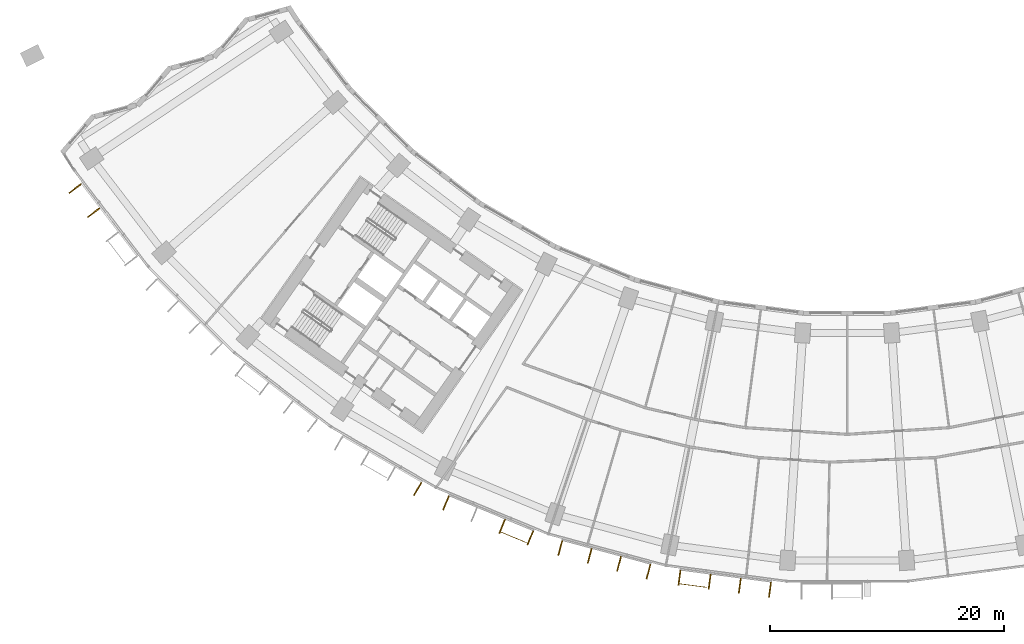
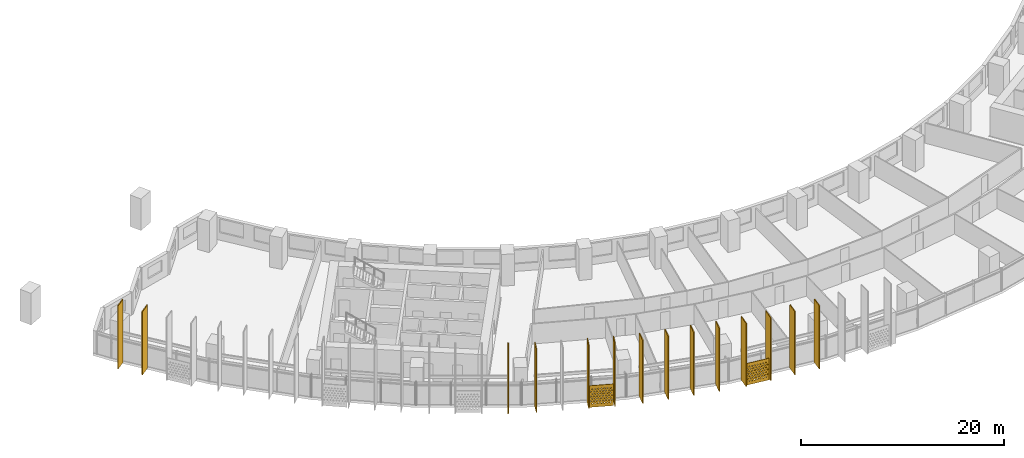
# One storey, part 26 of 31: 16 shading devices.
"""IFC4 building model written with IfcOpenShell, lengths in metres."""

from ifc_helpers import new_model, si_unit, direction, frame, origin, origin_2d, place, context, subcontext, project, spatial, polyline, rectangle, outline, extrude, material, material_profile, profile_set, type_object, element, save


model = new_model("IFC4")

# Units and contexts
model_context = context("Model", 3, precision=1e-05, world=origin(), true_north=direction((0.0, 1.0)))
body_context = subcontext(model_context, "Body", "Model", "MODEL_VIEW")
ifc_project = project(units=[si_unit("LENGTHUNIT", "METRE"), si_unit("AREAUNIT", "SQUARE_METRE"), si_unit("VOLUMEUNIT", "CUBIC_METRE"), si_unit("PLANEANGLEUNIT", "RADIAN"), si_unit("MASSUNIT", "GRAM", prefix="KILO")], contexts=[model_context])

# Site, building, storey
site_placement = place(None, origin())
site = spatial("IfcSite", under=ifc_project, at=site_placement, CompositionType="ELEMENT")
building_placement = place(site_placement, origin())
building = spatial("IfcBuilding", under=site, at=building_placement, Name="Qamariyya Broadcast Tower", CompositionType="ELEMENT")
storey_placement = place(building_placement, frame((0.0, 0.0, 48.10009765625)))
storey = spatial("IfcBuildingStorey", under=building, at=storey_placement, Name="L08", CompositionType="ELEMENT", Elevation=48.10009765625)

# Shading devices
ifc_material_1 = material(Name="Perforated glazed terracotta", Category="masonry")
ifc_material_profile_1 = material_profile(ifc_material_1, outline(polyline([(-1.199951171875, -1.300048828125), (1.199951171875, -1.300048828125), (1.199951171875, 1.300048828125), (-1.199951171875, 1.300048828125), (-1.199951171875, -1.300048828125)]), holes=[polyline([(-0.81494140625, -0.86669921875), (-0.89990234375, -0.78173828125), (-0.985107421875, -0.86669921875), (-0.89990234375, -0.95166015625), (-0.81494140625, -0.86669921875)]), polyline([(-0.514892578125, -0.86669921875), (-0.60009765625, -0.78173828125), (-0.68505859375, -0.86669921875), (-0.60009765625, -0.95166015625), (-0.514892578125, -0.86669921875)]), polyline([(-0.215087890625, -0.86669921875), (-0.300048828125, -0.78173828125), (-0.385009765625, -0.86669921875), (-0.300048828125, -0.95166015625), (-0.215087890625, -0.86669921875)]), polyline([(0.0849609375, -0.86669921875), (0.0, -0.78173828125), (-0.0849609375, -0.86669921875), (0.0, -0.95166015625), (0.0849609375, -0.86669921875)]), polyline([(0.385009765625, -0.86669921875), (0.300048828125, -0.78173828125), (0.215087890625, -0.86669921875), (0.300048828125, -0.95166015625), (0.385009765625, -0.86669921875)]), polyline([(0.68505859375, -0.86669921875), (0.60009765625, -0.78173828125), (0.514892578125, -0.86669921875), (0.60009765625, -0.95166015625), (0.68505859375, -0.86669921875)]), polyline([(0.985107421875, -0.86669921875), (0.89990234375, -0.78173828125), (0.81494140625, -0.86669921875), (0.89990234375, -0.95166015625), (0.985107421875, -0.86669921875)]), polyline([(-0.965087890625, -0.577880859375), (-1.050048828125, -0.49267578125), (-1.135009765625, -0.577880859375), (-1.050048828125, -0.662841796875), (-0.965087890625, -0.577880859375)]), polyline([(-0.6650390625, -0.577880859375), (-0.75, -0.49267578125), (-0.8349609375, -0.577880859375), (-0.75, -0.662841796875), (-0.6650390625, -0.577880859375)]), polyline([(-0.364990234375, -0.577880859375), (-0.449951171875, -0.49267578125), (-0.534912109375, -0.577880859375), (-0.449951171875, -0.662841796875), (-0.364990234375, -0.577880859375)]), polyline([(-0.06494140625, -0.577880859375), (-0.14990234375, -0.49267578125), (-0.235107421875, -0.577880859375), (-0.14990234375, -0.662841796875), (-0.06494140625, -0.577880859375)]), polyline([(0.235107421875, -0.577880859375), (0.14990234375, -0.49267578125), (0.06494140625, -0.577880859375), (0.14990234375, -0.662841796875), (0.235107421875, -0.577880859375)]), polyline([(0.534912109375, -0.577880859375), (0.449951171875, -0.49267578125), (0.364990234375, -0.577880859375), (0.449951171875, -0.662841796875), (0.534912109375, -0.577880859375)]), polyline([(0.8349609375, -0.577880859375), (0.75, -0.49267578125), (0.6650390625, -0.577880859375), (0.75, -0.662841796875), (0.8349609375, -0.577880859375)]), polyline([(1.135009765625, -0.577880859375), (1.050048828125, -0.49267578125), (0.965087890625, -0.577880859375), (1.050048828125, -0.662841796875), (1.135009765625, -0.577880859375)]), polyline([(-0.81494140625, -0.288818359375), (-0.89990234375, -0.203857421875), (-0.985107421875, -0.288818359375), (-0.89990234375, -0.373779296875), (-0.81494140625, -0.288818359375)]), polyline([(-0.514892578125, -0.288818359375), (-0.60009765625, -0.203857421875), (-0.68505859375, -0.288818359375), (-0.60009765625, -0.373779296875), (-0.514892578125, -0.288818359375)]), polyline([(-0.215087890625, -0.288818359375), (-0.300048828125, -0.203857421875), (-0.385009765625, -0.288818359375), (-0.300048828125, -0.373779296875), (-0.215087890625, -0.288818359375)]), polyline([(0.0849609375, -0.288818359375), (0.0, -0.203857421875), (-0.0849609375, -0.288818359375), (0.0, -0.373779296875), (0.0849609375, -0.288818359375)]), polyline([(0.385009765625, -0.288818359375), (0.300048828125, -0.203857421875), (0.215087890625, -0.288818359375), (0.300048828125, -0.373779296875), (0.385009765625, -0.288818359375)]), polyline([(0.68505859375, -0.288818359375), (0.60009765625, -0.203857421875), (0.514892578125, -0.288818359375), (0.60009765625, -0.373779296875), (0.68505859375, -0.288818359375)]), polyline([(0.985107421875, -0.288818359375), (0.89990234375, -0.203857421875), (0.81494140625, -0.288818359375), (0.89990234375, -0.373779296875), (0.985107421875, -0.288818359375)]), polyline([(-0.965087890625, 0.0), (-1.050048828125, 0.0849609375), (-1.135009765625, 0.0), (-1.050048828125, -0.0849609375), (-0.965087890625, 0.0)]), polyline([(-0.6650390625, 0.0), (-0.75, 0.0849609375), (-0.8349609375, 0.0), (-0.75, -0.0849609375), (-0.6650390625, 0.0)]), polyline([(-0.364990234375, 0.0), (-0.449951171875, 0.0849609375), (-0.534912109375, 0.0), (-0.449951171875, -0.0849609375), (-0.364990234375, 0.0)]), polyline([(-0.06494140625, 0.0), (-0.14990234375, 0.0849609375), (-0.235107421875, 0.0), (-0.14990234375, -0.0849609375), (-0.06494140625, 0.0)]), polyline([(0.235107421875, 0.0), (0.14990234375, 0.0849609375), (0.06494140625, 0.0), (0.14990234375, -0.0849609375), (0.235107421875, 0.0)]), polyline([(0.534912109375, 0.0), (0.449951171875, 0.0849609375), (0.364990234375, 0.0), (0.449951171875, -0.0849609375), (0.534912109375, 0.0)]), polyline([(0.8349609375, 0.0), (0.75, 0.0849609375), (0.6650390625, 0.0), (0.75, -0.0849609375), (0.8349609375, 0.0)]), polyline([(1.135009765625, 0.0), (1.050048828125, 0.0849609375), (0.965087890625, 0.0), (1.050048828125, -0.0849609375), (1.135009765625, 0.0)]), polyline([(-0.81494140625, 0.288818359375), (-0.89990234375, 0.373779296875), (-0.985107421875, 0.288818359375), (-0.89990234375, 0.203857421875), (-0.81494140625, 0.288818359375)]), polyline([(-0.514892578125, 0.288818359375), (-0.60009765625, 0.373779296875), (-0.68505859375, 0.288818359375), (-0.60009765625, 0.203857421875), (-0.514892578125, 0.288818359375)]), polyline([(-0.215087890625, 0.288818359375), (-0.300048828125, 0.373779296875), (-0.385009765625, 0.288818359375), (-0.300048828125, 0.203857421875), (-0.215087890625, 0.288818359375)]), polyline([(0.0849609375, 0.288818359375), (0.0, 0.373779296875), (-0.0849609375, 0.288818359375), (0.0, 0.203857421875), (0.0849609375, 0.288818359375)]), polyline([(0.385009765625, 0.288818359375), (0.300048828125, 0.373779296875), (0.215087890625, 0.288818359375), (0.300048828125, 0.203857421875), (0.385009765625, 0.288818359375)]), polyline([(0.68505859375, 0.288818359375), (0.60009765625, 0.373779296875), (0.514892578125, 0.288818359375), (0.60009765625, 0.203857421875), (0.68505859375, 0.288818359375)]), polyline([(0.985107421875, 0.288818359375), (0.89990234375, 0.373779296875), (0.81494140625, 0.288818359375), (0.89990234375, 0.203857421875), (0.985107421875, 0.288818359375)]), polyline([(-0.965087890625, 0.577880859375), (-1.050048828125, 0.662841796875), (-1.135009765625, 0.577880859375), (-1.050048828125, 0.49267578125), (-0.965087890625, 0.577880859375)]), polyline([(-0.6650390625, 0.577880859375), (-0.75, 0.662841796875), (-0.8349609375, 0.577880859375), (-0.75, 0.49267578125), (-0.6650390625, 0.577880859375)]), polyline([(-0.364990234375, 0.577880859375), (-0.449951171875, 0.662841796875), (-0.534912109375, 0.577880859375), (-0.449951171875, 0.49267578125), (-0.364990234375, 0.577880859375)]), polyline([(-0.06494140625, 0.577880859375), (-0.14990234375, 0.662841796875), (-0.235107421875, 0.577880859375), (-0.14990234375, 0.49267578125), (-0.06494140625, 0.577880859375)]), polyline([(0.235107421875, 0.577880859375), (0.14990234375, 0.662841796875), (0.06494140625, 0.577880859375), (0.14990234375, 0.49267578125), (0.235107421875, 0.577880859375)]), polyline([(0.534912109375, 0.577880859375), (0.449951171875, 0.662841796875), (0.364990234375, 0.577880859375), (0.449951171875, 0.49267578125), (0.534912109375, 0.577880859375)]), polyline([(0.8349609375, 0.577880859375), (0.75, 0.662841796875), (0.6650390625, 0.577880859375), (0.75, 0.49267578125), (0.8349609375, 0.577880859375)]), polyline([(1.135009765625, 0.577880859375), (1.050048828125, 0.662841796875), (0.965087890625, 0.577880859375), (1.050048828125, 0.49267578125), (1.135009765625, 0.577880859375)]), polyline([(-0.81494140625, 0.86669921875), (-0.89990234375, 0.95166015625), (-0.985107421875, 0.86669921875), (-0.89990234375, 0.78173828125), (-0.81494140625, 0.86669921875)]), polyline([(-0.514892578125, 0.86669921875), (-0.60009765625, 0.95166015625), (-0.68505859375, 0.86669921875), (-0.60009765625, 0.78173828125), (-0.514892578125, 0.86669921875)]), polyline([(-0.215087890625, 0.86669921875), (-0.300048828125, 0.95166015625), (-0.385009765625, 0.86669921875), (-0.300048828125, 0.78173828125), (-0.215087890625, 0.86669921875)]), polyline([(0.0849609375, 0.86669921875), (0.0, 0.95166015625), (-0.0849609375, 0.86669921875), (0.0, 0.78173828125), (0.0849609375, 0.86669921875)]), polyline([(0.385009765625, 0.86669921875), (0.300048828125, 0.95166015625), (0.215087890625, 0.86669921875), (0.300048828125, 0.78173828125), (0.385009765625, 0.86669921875)]), polyline([(0.68505859375, 0.86669921875), (0.60009765625, 0.95166015625), (0.514892578125, 0.86669921875), (0.60009765625, 0.78173828125), (0.68505859375, 0.86669921875)]), polyline([(0.985107421875, 0.86669921875), (0.89990234375, 0.95166015625), (0.81494140625, 0.86669921875), (0.89990234375, 0.78173828125), (0.985107421875, 0.86669921875)])]))
ifc_profile_set_1 = profile_set([ifc_material_profile_1], Name="Perforated glazed terracotta")
shading_device_type_1 = type_object("IfcShadingDeviceType", Name="Perforated terracotta screen 2400 x 2600", PredefinedType="USERDEFINED", material=ifc_profile_set_1)
shading_device_1_placement = place(storey_placement, frame((-28.54345703125, -75.57958984375, 1.349853515625), z_axis=(-0.382591441855, -0.923917630863, 0.0), x_axis=(0.923917630863, -0.382591441855, 0.0)))
element("IfcShadingDevice", 1, at=shading_device_1_placement, inside=storey, type_object=shading_device_type_1, Name="e-scr-L08-05-2", ObjectType="SCREEN", PredefinedType="USERDEFINED", context=body_context, shape_type="SweptSolid", body=[
    extrude(outline(polyline([(-1.199951171875, -1.300048828125), (1.199951171875, -1.300048828125), (1.199951171875, 1.300048828125), (-1.199951171875, 1.300048828125), (-1.199951171875, -1.300048828125)]), holes=[polyline([(-0.81494140625, -0.86669921875), (-0.89990234375, -0.78173828125), (-0.985107421875, -0.86669921875), (-0.89990234375, -0.95166015625), (-0.81494140625, -0.86669921875)]), polyline([(-0.514892578125, -0.86669921875), (-0.60009765625, -0.78173828125), (-0.68505859375, -0.86669921875), (-0.60009765625, -0.95166015625), (-0.514892578125, -0.86669921875)]), polyline([(-0.215087890625, -0.86669921875), (-0.300048828125, -0.78173828125), (-0.385009765625, -0.86669921875), (-0.300048828125, -0.95166015625), (-0.215087890625, -0.86669921875)]), polyline([(0.0849609375, -0.86669921875), (0.0, -0.78173828125), (-0.0849609375, -0.86669921875), (0.0, -0.95166015625), (0.0849609375, -0.86669921875)]), polyline([(0.385009765625, -0.86669921875), (0.300048828125, -0.78173828125), (0.215087890625, -0.86669921875), (0.300048828125, -0.95166015625), (0.385009765625, -0.86669921875)]), polyline([(0.68505859375, -0.86669921875), (0.60009765625, -0.78173828125), (0.514892578125, -0.86669921875), (0.60009765625, -0.95166015625), (0.68505859375, -0.86669921875)]), polyline([(0.985107421875, -0.86669921875), (0.89990234375, -0.78173828125), (0.81494140625, -0.86669921875), (0.89990234375, -0.95166015625), (0.985107421875, -0.86669921875)]), polyline([(-0.965087890625, -0.577880859375), (-1.050048828125, -0.49267578125), (-1.135009765625, -0.577880859375), (-1.050048828125, -0.662841796875), (-0.965087890625, -0.577880859375)]), polyline([(-0.6650390625, -0.577880859375), (-0.75, -0.49267578125), (-0.8349609375, -0.577880859375), (-0.75, -0.662841796875), (-0.6650390625, -0.577880859375)]), polyline([(-0.364990234375, -0.577880859375), (-0.449951171875, -0.49267578125), (-0.534912109375, -0.577880859375), (-0.449951171875, -0.662841796875), (-0.364990234375, -0.577880859375)]), polyline([(-0.06494140625, -0.577880859375), (-0.14990234375, -0.49267578125), (-0.235107421875, -0.577880859375), (-0.14990234375, -0.662841796875), (-0.06494140625, -0.577880859375)]), polyline([(0.235107421875, -0.577880859375), (0.14990234375, -0.49267578125), (0.06494140625, -0.577880859375), (0.14990234375, -0.662841796875), (0.235107421875, -0.577880859375)]), polyline([(0.534912109375, -0.577880859375), (0.449951171875, -0.49267578125), (0.364990234375, -0.577880859375), (0.449951171875, -0.662841796875), (0.534912109375, -0.577880859375)]), polyline([(0.8349609375, -0.577880859375), (0.75, -0.49267578125), (0.6650390625, -0.577880859375), (0.75, -0.662841796875), (0.8349609375, -0.577880859375)]), polyline([(1.135009765625, -0.577880859375), (1.050048828125, -0.49267578125), (0.965087890625, -0.577880859375), (1.050048828125, -0.662841796875), (1.135009765625, -0.577880859375)]), polyline([(-0.81494140625, -0.288818359375), (-0.89990234375, -0.203857421875), (-0.985107421875, -0.288818359375), (-0.89990234375, -0.373779296875), (-0.81494140625, -0.288818359375)]), polyline([(-0.514892578125, -0.288818359375), (-0.60009765625, -0.203857421875), (-0.68505859375, -0.288818359375), (-0.60009765625, -0.373779296875), (-0.514892578125, -0.288818359375)]), polyline([(-0.215087890625, -0.288818359375), (-0.300048828125, -0.203857421875), (-0.385009765625, -0.288818359375), (-0.300048828125, -0.373779296875), (-0.215087890625, -0.288818359375)]), polyline([(0.0849609375, -0.288818359375), (0.0, -0.203857421875), (-0.0849609375, -0.288818359375), (0.0, -0.373779296875), (0.0849609375, -0.288818359375)]), polyline([(0.385009765625, -0.288818359375), (0.300048828125, -0.203857421875), (0.215087890625, -0.288818359375), (0.300048828125, -0.373779296875), (0.385009765625, -0.288818359375)]), polyline([(0.68505859375, -0.288818359375), (0.60009765625, -0.203857421875), (0.514892578125, -0.288818359375), (0.60009765625, -0.373779296875), (0.68505859375, -0.288818359375)]), polyline([(0.985107421875, -0.288818359375), (0.89990234375, -0.203857421875), (0.81494140625, -0.288818359375), (0.89990234375, -0.373779296875), (0.985107421875, -0.288818359375)]), polyline([(-0.965087890625, 0.0), (-1.050048828125, 0.0849609375), (-1.135009765625, 0.0), (-1.050048828125, -0.0849609375), (-0.965087890625, 0.0)]), polyline([(-0.6650390625, 0.0), (-0.75, 0.0849609375), (-0.8349609375, 0.0), (-0.75, -0.0849609375), (-0.6650390625, 0.0)]), polyline([(-0.364990234375, 0.0), (-0.449951171875, 0.0849609375), (-0.534912109375, 0.0), (-0.449951171875, -0.0849609375), (-0.364990234375, 0.0)]), polyline([(-0.06494140625, 0.0), (-0.14990234375, 0.0849609375), (-0.235107421875, 0.0), (-0.14990234375, -0.0849609375), (-0.06494140625, 0.0)]), polyline([(0.235107421875, 0.0), (0.14990234375, 0.0849609375), (0.06494140625, 0.0), (0.14990234375, -0.0849609375), (0.235107421875, 0.0)]), polyline([(0.534912109375, 0.0), (0.449951171875, 0.0849609375), (0.364990234375, 0.0), (0.449951171875, -0.0849609375), (0.534912109375, 0.0)]), polyline([(0.8349609375, 0.0), (0.75, 0.0849609375), (0.6650390625, 0.0), (0.75, -0.0849609375), (0.8349609375, 0.0)]), polyline([(1.135009765625, 0.0), (1.050048828125, 0.0849609375), (0.965087890625, 0.0), (1.050048828125, -0.0849609375), (1.135009765625, 0.0)]), polyline([(-0.81494140625, 0.288818359375), (-0.89990234375, 0.373779296875), (-0.985107421875, 0.288818359375), (-0.89990234375, 0.203857421875), (-0.81494140625, 0.288818359375)]), polyline([(-0.514892578125, 0.288818359375), (-0.60009765625, 0.373779296875), (-0.68505859375, 0.288818359375), (-0.60009765625, 0.203857421875), (-0.514892578125, 0.288818359375)]), polyline([(-0.215087890625, 0.288818359375), (-0.300048828125, 0.373779296875), (-0.385009765625, 0.288818359375), (-0.300048828125, 0.203857421875), (-0.215087890625, 0.288818359375)]), polyline([(0.0849609375, 0.288818359375), (0.0, 0.373779296875), (-0.0849609375, 0.288818359375), (0.0, 0.203857421875), (0.0849609375, 0.288818359375)]), polyline([(0.385009765625, 0.288818359375), (0.300048828125, 0.373779296875), (0.215087890625, 0.288818359375), (0.300048828125, 0.203857421875), (0.385009765625, 0.288818359375)]), polyline([(0.68505859375, 0.288818359375), (0.60009765625, 0.373779296875), (0.514892578125, 0.288818359375), (0.60009765625, 0.203857421875), (0.68505859375, 0.288818359375)]), polyline([(0.985107421875, 0.288818359375), (0.89990234375, 0.373779296875), (0.81494140625, 0.288818359375), (0.89990234375, 0.203857421875), (0.985107421875, 0.288818359375)]), polyline([(-0.965087890625, 0.577880859375), (-1.050048828125, 0.662841796875), (-1.135009765625, 0.577880859375), (-1.050048828125, 0.49267578125), (-0.965087890625, 0.577880859375)]), polyline([(-0.6650390625, 0.577880859375), (-0.75, 0.662841796875), (-0.8349609375, 0.577880859375), (-0.75, 0.49267578125), (-0.6650390625, 0.577880859375)]), polyline([(-0.364990234375, 0.577880859375), (-0.449951171875, 0.662841796875), (-0.534912109375, 0.577880859375), (-0.449951171875, 0.49267578125), (-0.364990234375, 0.577880859375)]), polyline([(-0.06494140625, 0.577880859375), (-0.14990234375, 0.662841796875), (-0.235107421875, 0.577880859375), (-0.14990234375, 0.49267578125), (-0.06494140625, 0.577880859375)]), polyline([(0.235107421875, 0.577880859375), (0.14990234375, 0.662841796875), (0.06494140625, 0.577880859375), (0.14990234375, 0.49267578125), (0.235107421875, 0.577880859375)]), polyline([(0.534912109375, 0.577880859375), (0.449951171875, 0.662841796875), (0.364990234375, 0.577880859375), (0.449951171875, 0.49267578125), (0.534912109375, 0.577880859375)]), polyline([(0.8349609375, 0.577880859375), (0.75, 0.662841796875), (0.6650390625, 0.577880859375), (0.75, 0.49267578125), (0.8349609375, 0.577880859375)]), polyline([(1.135009765625, 0.577880859375), (1.050048828125, 0.662841796875), (0.965087890625, 0.577880859375), (1.050048828125, 0.49267578125), (1.135009765625, 0.577880859375)]), polyline([(-0.81494140625, 0.86669921875), (-0.89990234375, 0.95166015625), (-0.985107421875, 0.86669921875), (-0.89990234375, 0.78173828125), (-0.81494140625, 0.86669921875)]), polyline([(-0.514892578125, 0.86669921875), (-0.60009765625, 0.95166015625), (-0.68505859375, 0.86669921875), (-0.60009765625, 0.78173828125), (-0.514892578125, 0.86669921875)]), polyline([(-0.215087890625, 0.86669921875), (-0.300048828125, 0.95166015625), (-0.385009765625, 0.86669921875), (-0.300048828125, 0.78173828125), (-0.215087890625, 0.86669921875)]), polyline([(0.0849609375, 0.86669921875), (0.0, 0.95166015625), (-0.0849609375, 0.86669921875), (0.0, 0.78173828125), (0.0849609375, 0.86669921875)]), polyline([(0.385009765625, 0.86669921875), (0.300048828125, 0.95166015625), (0.215087890625, 0.86669921875), (0.300048828125, 0.78173828125), (0.385009765625, 0.86669921875)]), polyline([(0.68505859375, 0.86669921875), (0.60009765625, 0.95166015625), (0.514892578125, 0.86669921875), (0.60009765625, 0.78173828125), (0.68505859375, 0.86669921875)]), polyline([(0.985107421875, 0.86669921875), (0.89990234375, 0.95166015625), (0.81494140625, 0.86669921875), (0.89990234375, 0.78173828125), (0.985107421875, 0.86669921875)])]), origin(), (0.0, 0.0, 1.0), 0.06005859375),
])
shading_device_2_placement = place(storey_placement, frame((-13.17431640625, -79.7119140625, 1.349853515625), z_axis=(-0.13056005306, -0.991440402921, 0.0), x_axis=(0.991440402921, -0.13056005306, 0.0)))
element("IfcShadingDevice", 2, at=shading_device_2_placement, inside=storey, type_object=shading_device_type_1, Name="e-scr-L08-07-0", ObjectType="SCREEN", PredefinedType="USERDEFINED", context=body_context, shape_type="SweptSolid", body=[
    extrude(outline(polyline([(-1.199951171875, -1.300048828125), (1.199951171875, -1.300048828125), (1.199951171875, 1.300048828125), (-1.199951171875, 1.300048828125), (-1.199951171875, -1.300048828125)]), holes=[polyline([(-0.81494140625, -0.86669921875), (-0.89990234375, -0.78173828125), (-0.985107421875, -0.86669921875), (-0.89990234375, -0.95166015625), (-0.81494140625, -0.86669921875)]), polyline([(-0.514892578125, -0.86669921875), (-0.60009765625, -0.78173828125), (-0.68505859375, -0.86669921875), (-0.60009765625, -0.95166015625), (-0.514892578125, -0.86669921875)]), polyline([(-0.215087890625, -0.86669921875), (-0.300048828125, -0.78173828125), (-0.385009765625, -0.86669921875), (-0.300048828125, -0.95166015625), (-0.215087890625, -0.86669921875)]), polyline([(0.0849609375, -0.86669921875), (0.0, -0.78173828125), (-0.0849609375, -0.86669921875), (0.0, -0.95166015625), (0.0849609375, -0.86669921875)]), polyline([(0.385009765625, -0.86669921875), (0.300048828125, -0.78173828125), (0.215087890625, -0.86669921875), (0.300048828125, -0.95166015625), (0.385009765625, -0.86669921875)]), polyline([(0.68505859375, -0.86669921875), (0.60009765625, -0.78173828125), (0.514892578125, -0.86669921875), (0.60009765625, -0.95166015625), (0.68505859375, -0.86669921875)]), polyline([(0.985107421875, -0.86669921875), (0.89990234375, -0.78173828125), (0.81494140625, -0.86669921875), (0.89990234375, -0.95166015625), (0.985107421875, -0.86669921875)]), polyline([(-0.965087890625, -0.577880859375), (-1.050048828125, -0.49267578125), (-1.135009765625, -0.577880859375), (-1.050048828125, -0.662841796875), (-0.965087890625, -0.577880859375)]), polyline([(-0.6650390625, -0.577880859375), (-0.75, -0.49267578125), (-0.8349609375, -0.577880859375), (-0.75, -0.662841796875), (-0.6650390625, -0.577880859375)]), polyline([(-0.364990234375, -0.577880859375), (-0.449951171875, -0.49267578125), (-0.534912109375, -0.577880859375), (-0.449951171875, -0.662841796875), (-0.364990234375, -0.577880859375)]), polyline([(-0.06494140625, -0.577880859375), (-0.14990234375, -0.49267578125), (-0.235107421875, -0.577880859375), (-0.14990234375, -0.662841796875), (-0.06494140625, -0.577880859375)]), polyline([(0.235107421875, -0.577880859375), (0.14990234375, -0.49267578125), (0.06494140625, -0.577880859375), (0.14990234375, -0.662841796875), (0.235107421875, -0.577880859375)]), polyline([(0.534912109375, -0.577880859375), (0.449951171875, -0.49267578125), (0.364990234375, -0.577880859375), (0.449951171875, -0.662841796875), (0.534912109375, -0.577880859375)]), polyline([(0.8349609375, -0.577880859375), (0.75, -0.49267578125), (0.6650390625, -0.577880859375), (0.75, -0.662841796875), (0.8349609375, -0.577880859375)]), polyline([(1.135009765625, -0.577880859375), (1.050048828125, -0.49267578125), (0.965087890625, -0.577880859375), (1.050048828125, -0.662841796875), (1.135009765625, -0.577880859375)]), polyline([(-0.81494140625, -0.288818359375), (-0.89990234375, -0.203857421875), (-0.985107421875, -0.288818359375), (-0.89990234375, -0.373779296875), (-0.81494140625, -0.288818359375)]), polyline([(-0.514892578125, -0.288818359375), (-0.60009765625, -0.203857421875), (-0.68505859375, -0.288818359375), (-0.60009765625, -0.373779296875), (-0.514892578125, -0.288818359375)]), polyline([(-0.215087890625, -0.288818359375), (-0.300048828125, -0.203857421875), (-0.385009765625, -0.288818359375), (-0.300048828125, -0.373779296875), (-0.215087890625, -0.288818359375)]), polyline([(0.0849609375, -0.288818359375), (0.0, -0.203857421875), (-0.0849609375, -0.288818359375), (0.0, -0.373779296875), (0.0849609375, -0.288818359375)]), polyline([(0.385009765625, -0.288818359375), (0.300048828125, -0.203857421875), (0.215087890625, -0.288818359375), (0.300048828125, -0.373779296875), (0.385009765625, -0.288818359375)]), polyline([(0.68505859375, -0.288818359375), (0.60009765625, -0.203857421875), (0.514892578125, -0.288818359375), (0.60009765625, -0.373779296875), (0.68505859375, -0.288818359375)]), polyline([(0.985107421875, -0.288818359375), (0.89990234375, -0.203857421875), (0.81494140625, -0.288818359375), (0.89990234375, -0.373779296875), (0.985107421875, -0.288818359375)]), polyline([(-0.965087890625, 0.0), (-1.050048828125, 0.0849609375), (-1.135009765625, 0.0), (-1.050048828125, -0.0849609375), (-0.965087890625, 0.0)]), polyline([(-0.6650390625, 0.0), (-0.75, 0.0849609375), (-0.8349609375, 0.0), (-0.75, -0.0849609375), (-0.6650390625, 0.0)]), polyline([(-0.364990234375, 0.0), (-0.449951171875, 0.0849609375), (-0.534912109375, 0.0), (-0.449951171875, -0.0849609375), (-0.364990234375, 0.0)]), polyline([(-0.06494140625, 0.0), (-0.14990234375, 0.0849609375), (-0.235107421875, 0.0), (-0.14990234375, -0.0849609375), (-0.06494140625, 0.0)]), polyline([(0.235107421875, 0.0), (0.14990234375, 0.0849609375), (0.06494140625, 0.0), (0.14990234375, -0.0849609375), (0.235107421875, 0.0)]), polyline([(0.534912109375, 0.0), (0.449951171875, 0.0849609375), (0.364990234375, 0.0), (0.449951171875, -0.0849609375), (0.534912109375, 0.0)]), polyline([(0.8349609375, 0.0), (0.75, 0.0849609375), (0.6650390625, 0.0), (0.75, -0.0849609375), (0.8349609375, 0.0)]), polyline([(1.135009765625, 0.0), (1.050048828125, 0.0849609375), (0.965087890625, 0.0), (1.050048828125, -0.0849609375), (1.135009765625, 0.0)]), polyline([(-0.81494140625, 0.288818359375), (-0.89990234375, 0.373779296875), (-0.985107421875, 0.288818359375), (-0.89990234375, 0.203857421875), (-0.81494140625, 0.288818359375)]), polyline([(-0.514892578125, 0.288818359375), (-0.60009765625, 0.373779296875), (-0.68505859375, 0.288818359375), (-0.60009765625, 0.203857421875), (-0.514892578125, 0.288818359375)]), polyline([(-0.215087890625, 0.288818359375), (-0.300048828125, 0.373779296875), (-0.385009765625, 0.288818359375), (-0.300048828125, 0.203857421875), (-0.215087890625, 0.288818359375)]), polyline([(0.0849609375, 0.288818359375), (0.0, 0.373779296875), (-0.0849609375, 0.288818359375), (0.0, 0.203857421875), (0.0849609375, 0.288818359375)]), polyline([(0.385009765625, 0.288818359375), (0.300048828125, 0.373779296875), (0.215087890625, 0.288818359375), (0.300048828125, 0.203857421875), (0.385009765625, 0.288818359375)]), polyline([(0.68505859375, 0.288818359375), (0.60009765625, 0.373779296875), (0.514892578125, 0.288818359375), (0.60009765625, 0.203857421875), (0.68505859375, 0.288818359375)]), polyline([(0.985107421875, 0.288818359375), (0.89990234375, 0.373779296875), (0.81494140625, 0.288818359375), (0.89990234375, 0.203857421875), (0.985107421875, 0.288818359375)]), polyline([(-0.965087890625, 0.577880859375), (-1.050048828125, 0.662841796875), (-1.135009765625, 0.577880859375), (-1.050048828125, 0.49267578125), (-0.965087890625, 0.577880859375)]), polyline([(-0.6650390625, 0.577880859375), (-0.75, 0.662841796875), (-0.8349609375, 0.577880859375), (-0.75, 0.49267578125), (-0.6650390625, 0.577880859375)]), polyline([(-0.364990234375, 0.577880859375), (-0.449951171875, 0.662841796875), (-0.534912109375, 0.577880859375), (-0.449951171875, 0.49267578125), (-0.364990234375, 0.577880859375)]), polyline([(-0.06494140625, 0.577880859375), (-0.14990234375, 0.662841796875), (-0.235107421875, 0.577880859375), (-0.14990234375, 0.49267578125), (-0.06494140625, 0.577880859375)]), polyline([(0.235107421875, 0.577880859375), (0.14990234375, 0.662841796875), (0.06494140625, 0.577880859375), (0.14990234375, 0.49267578125), (0.235107421875, 0.577880859375)]), polyline([(0.534912109375, 0.577880859375), (0.449951171875, 0.662841796875), (0.364990234375, 0.577880859375), (0.449951171875, 0.49267578125), (0.534912109375, 0.577880859375)]), polyline([(0.8349609375, 0.577880859375), (0.75, 0.662841796875), (0.6650390625, 0.577880859375), (0.75, 0.49267578125), (0.8349609375, 0.577880859375)]), polyline([(1.135009765625, 0.577880859375), (1.050048828125, 0.662841796875), (0.965087890625, 0.577880859375), (1.050048828125, 0.49267578125), (1.135009765625, 0.577880859375)]), polyline([(-0.81494140625, 0.86669921875), (-0.89990234375, 0.95166015625), (-0.985107421875, 0.86669921875), (-0.89990234375, 0.78173828125), (-0.81494140625, 0.86669921875)]), polyline([(-0.514892578125, 0.86669921875), (-0.60009765625, 0.95166015625), (-0.68505859375, 0.86669921875), (-0.60009765625, 0.78173828125), (-0.514892578125, 0.86669921875)]), polyline([(-0.215087890625, 0.86669921875), (-0.300048828125, 0.95166015625), (-0.385009765625, 0.86669921875), (-0.300048828125, 0.78173828125), (-0.215087890625, 0.86669921875)]), polyline([(0.0849609375, 0.86669921875), (0.0, 0.95166015625), (-0.0849609375, 0.86669921875), (0.0, 0.78173828125), (0.0849609375, 0.86669921875)]), polyline([(0.385009765625, 0.86669921875), (0.300048828125, 0.95166015625), (0.215087890625, 0.86669921875), (0.300048828125, 0.78173828125), (0.385009765625, 0.86669921875)]), polyline([(0.68505859375, 0.86669921875), (0.60009765625, 0.95166015625), (0.514892578125, 0.86669921875), (0.60009765625, 0.78173828125), (0.68505859375, 0.86669921875)]), polyline([(0.985107421875, 0.86669921875), (0.89990234375, 0.95166015625), (0.81494140625, 0.86669921875), (0.89990234375, 0.78173828125), (0.985107421875, 0.86669921875)])]), origin(), (0.0, 0.0, 1.0), 0.059814453125),
])
ifc_material_2 = material(Name="Glazed terracotta", Category="masonry")
ifc_material_profile_2 = material_profile(ifc_material_2, rectangle(XDim=1.300048828125, YDim=0.10009765625, at=origin_2d()))
ifc_profile_set_2 = profile_set([ifc_material_profile_2], Name="Glazed terracotta")
shading_device_type_2 = type_object("IfcShadingDeviceType", Name="Terracotta fin 100 x 1300", PredefinedType="USERDEFINED", material=ifc_profile_set_2)
for number, where, z_axis, x_axis, name in (
    (3, (-66.068359375, -45.771484375, 0.0), (0.0, 0.0, 1.0), (-0.793353340291, -0.608761429009, 0.0), "e-fin-L08-01-0"),
    (4, (-64.48291015625, -47.837890625, 0.0), (0.0, 0.0, 1.0), (-0.793353340291, -0.608761429009, 0.0), "e-fin-L08-01-1"),
    (5, (-36.756103515625, -71.4775390625, 0.0), (0.0, 0.0, 1.0), (-0.5, -0.866025403784, 0.0), "e-fin-L08-04-3"),
    (6, (-34.331298828125, -72.67333984375, 0.0), (0.0, 0.0, 1.0), (-0.382683432365, -0.923879532511, 0.0), "e-fin-L08-05-0"),
    (7, (-29.518310546875, -74.6669921875, 0.0), (0.0, 0.0, 1.0), (-0.382683432365, -0.923879532511, 0.0), "e-fin-L08-05-2"),
    (8, (-27.112060546875, -75.663818359375, 0.0), (0.0, 0.0, 1.0), (-0.382683432365, -0.923879532511, 0.0), "e-fin-L08-05-3"),
    (9, (-24.5517578125, -76.53271484375, 0.0), (0.0, 0.0, 1.0), (-0.258819045103, -0.965925826289, 0.0), "e-fin-L08-06-0"),
    (10, (-22.035888671875, -77.20703125, 0.0), (0.0, 0.0, 1.0), (-0.258819045103, -0.965925826289, 0.0), "e-fin-L08-06-1"),
    (11, (-19.519775390625, -77.881103515625, 0.0), (0.0, 0.0, 1.0), (-0.258819045103, -0.965925826289, 0.0), "e-fin-L08-06-2"),
    (12, (-17.00390625, -78.55517578125, 0.0), (0.0, 0.0, 1.0), (-0.258819045103, -0.965925826289, 0.0), "e-fin-L08-06-3"),
    (13, (-14.35205078125, -79.082763671875, 0.0), (0.0, 0.0, 1.0), (-0.13052619222, -0.991444861374, 0.0), "e-fin-L08-07-0"),
    (14, (-11.769775390625, -79.422607421875, 0.0), (0.0, 0.0, 1.0), (-0.13052619222, -0.991444861374, 0.0), "e-fin-L08-07-1"),
    (15, (-9.187255859375, -79.7626953125, 0.0), (0.0, 0.0, 1.0), (-0.13052619222, -0.991444861374, 0.0), "e-fin-L08-07-2"),
    (16, (-6.60498046875, -80.1025390625, 0.0), (0.0, 0.0, 1.0), (-0.13052619222, -0.991444861374, 0.0), "e-fin-L08-07-3"),
):
    element("IfcShadingDevice", number, at=place(storey_placement, frame(where, z_axis=z_axis, x_axis=x_axis)), inside=storey, type_object=shading_device_type_2, Name=name, ObjectType="FIN", PredefinedType="USERDEFINED", context=body_context, shape_type="SweptSolid", body=[
        extrude(rectangle(XDim=1.300048828125, YDim=0.10009765625, at=origin_2d()), origin(), (0.0, 0.0, 1.0), 7.599853515625),
    ])

save(model, "model.ifc")
